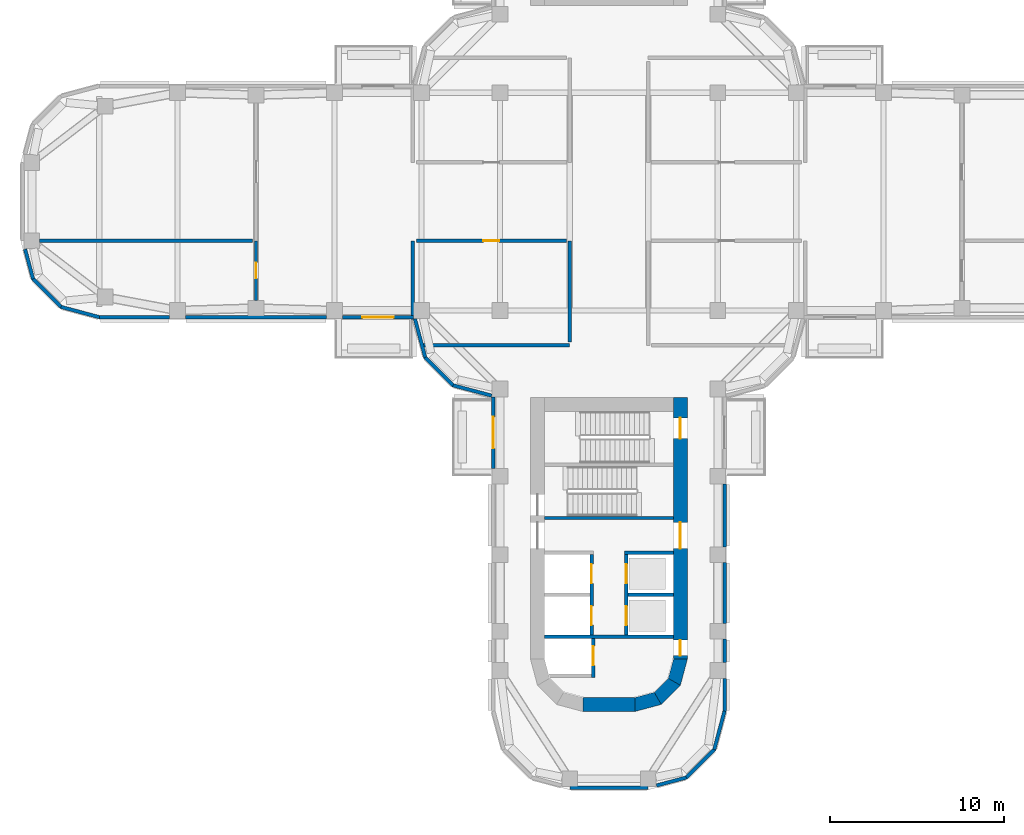
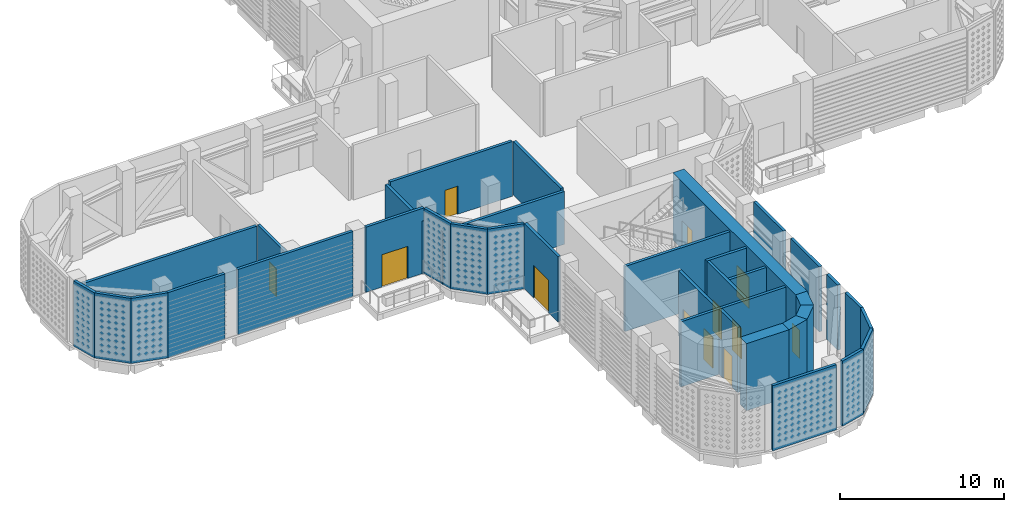
# One storey, part 5 of 20: 36 walls, 12 doors, 12 openings.
"""IFC4 building model written with IfcOpenShell, lengths in metres."""

from ifc_helpers import new_model, si_unit, direction, frame, frame_2d, origin, place, context, subcontext, project, spatial, polyline, rectangle, outline, extrude, material, layer, layer_set, type_object, element, fill, save


model = new_model("IFC4")

# Units and contexts
model_context = context("Model", 3, precision=1e-05, world=origin(), true_north=direction((0.0, 1.0)))
body_context = subcontext(model_context, "Body", "Model", "MODEL_VIEW")
ifc_project = project(units=[si_unit("LENGTHUNIT", "METRE"), si_unit("AREAUNIT", "SQUARE_METRE"), si_unit("VOLUMEUNIT", "CUBIC_METRE"), si_unit("PLANEANGLEUNIT", "RADIAN"), si_unit("MASSUNIT", "GRAM", prefix="KILO")], contexts=[model_context])

# Site, building, storey
site_placement = place(None, origin())
site = spatial("IfcSite", under=ifc_project, at=site_placement, CompositionType="ELEMENT")
building_placement = place(site_placement, origin())
building = spatial("IfcBuilding", under=site, at=building_placement, Name="Zarbagh Exchange Tower", CompositionType="ELEMENT")
storey_placement = place(building_placement, frame((0.0, 0.0, 136.0)))
storey = spatial("IfcBuildingStorey", under=building, at=storey_placement, Name="L32", CompositionType="ELEMENT", Elevation=136.0)

# Walls
ifc_material_1 = material(Name="Concrete block partition", Category="concrete")
ifc_layer_1 = layer(ifc_material_1, 0.199951171875)
ifc_layer_set_1 = layer_set([ifc_layer_1], Name="Fire-rated block partition 200 EI 120")
wall_type_1 = type_object("IfcWallType", Name="Fire-rated block partition 200 EI 120", PredefinedType="PARTITIONING", material=ifc_layer_set_1)
wall_1_placement = place(storey_placement, frame((-20.449951171875, -2.25, 0.0), z_axis=(0.0, 0.0, 1.0), x_axis=(-1.0, 0.0, 0.0)))
element("IfcWall", 1, at=wall_1_placement, inside=storey, type_object=wall_type_1, Name="WL-L32-W023", PredefinedType="PARTITIONING", context=body_context, shape_type="SweptSolid", body=[
    extrude(rectangle(XDim=12.2099609375, YDim=0.199951171875, at=frame_2d((6.10498046875, 0.0))), origin(), (0.0, 0.0, 1.0), 4.080810546875),
])
ifc_layer_2 = layer(ifc_material_1, 0.199951171875)
ifc_layer_set_2 = layer_set([ifc_layer_2], Name="Fire-rated block partition 200 EI 60")
wall_type_2 = type_object("IfcWallType", Name="Fire-rated block partition 200 EI 60", PredefinedType="PARTITIONING", material=ifc_layer_set_2)
wall_2_placement = place(storey_placement, frame((-10.84814453125, -8.25, 0.0), z_axis=(0.0, 0.0, 1.0), x_axis=(1.0, 0.0, 0.0)))
element("IfcWall", 2, at=wall_2_placement, inside=storey, type_object=wall_type_2, Name="WL-L32-W007", PredefinedType="PARTITIONING", context=body_context, shape_type="SweptSolid", body=[
    extrude(rectangle(XDim=8.59814453125, YDim=0.199951171875, at=frame_2d((4.299072265625, 0.0))), origin(), (0.0, 0.0, 1.0), 3.929931640625),
])
wall_3_placement = place(storey_placement, frame((-2.25, -8.050048828125, 0.0), z_axis=(0.0, 0.0, 1.0), x_axis=(0.0, 1.0, 0.0)))
element("IfcWall", 3, at=wall_3_placement, inside=storey, type_object=wall_type_2, Name="WL-L32-W008", PredefinedType="PARTITIONING", context=body_context, shape_type="SweptSolid", body=[
    extrude(rectangle(XDim=5.800048828125, YDim=0.199951171875, at=frame_2d((2.89990234375, 0.0))), origin(), (0.0, 0.0, 1.0), 3.994384765625),
])
wall_4_placement = place(storey_placement, frame((-11.25, -6.75, 0.0), z_axis=(0.0, 0.0, 1.0), x_axis=(0.0, 1.0, 0.0)))
element("IfcWall", 4, at=wall_4_placement, inside=storey, type_object=wall_type_2, Name="WL-L32-W015", PredefinedType="PARTITIONING", context=body_context, shape_type="SweptSolid", body=[
    extrude(rectangle(XDim=4.5, YDim=0.199951171875, at=frame_2d((2.25, 0.0))), origin(), (0.0, 0.0, 1.0), 3.929931640625),
])

# Wall, opening, door
wall_5_placement = place(storey_placement, frame((-2.449951171875, -2.25, 0.0), z_axis=(0.0, 0.0, 1.0), x_axis=(-1.0, 0.0, 0.0)))
wall_5 = element("IfcWall", 5, at=wall_5_placement, inside=storey, type_object=wall_type_2, Name="WL-L32-W016", PredefinedType="PARTITIONING", context=body_context, shape_type="SweptSolid", body=[
    extrude(rectangle(XDim=8.60009765625, YDim=0.199951171875, at=frame_2d((4.300048828125, 0.0))), origin(), (0.0, 0.0, 1.0), 4.080810546875),
])
opening_1_placement = place(wall_5_placement, frame((3.85009765625, 0.0, 0.0)))
opening_1 = element("IfcOpeningElement", 6, at=opening_1_placement, cuts=wall_5, Name="Opening D04", PredefinedType="OPENING", context=body_context, shape_type="SweptSolid", body=[
    extrude(rectangle(XDim=0.89990234375, YDim=2.10009765625, at=frame_2d((0.449951171875, 1.050048828125))), frame((0.0, 0.10986328125, 0.0), z_axis=(0.0, -1.0, 0.0), x_axis=(1.0, 0.0, 0.0)), (0.0, 0.0, 1.0), 0.219970703125),
])
ifc_material_2 = material(Name="Steel door set", Category="steel")
door_type_1 = type_object("IfcDoorType", Name="Door single 900x2100 EI 60", OperationType="SINGLE_SWING_LEFT", PredefinedType="DOOR", material=ifc_material_2)
door_1_placement = place(opening_1_placement, origin())
door_1 = element("IfcDoor", 7, at=door_1_placement, inside=storey, type_object=door_type_1, Name="D04", OperationType="SINGLE_SWING_LEFT", OverallHeight=2.10009765625, OverallWidth=0.89990234375, PredefinedType="DOOR", context=body_context, shape_type="SweptSolid", body=[
    extrude(rectangle(XDim=0.89990234375, YDim=2.10009765625, at=frame_2d((0.449951171875, 1.050048828125))), frame((0.0, 0.02490234375, 0.0), z_axis=(0.0, -1.0, 0.0), x_axis=(1.0, 0.0, 0.0)), (0.0, 0.0, 1.0), 0.050048828125),
])
fill(opening_1, door_1)

wall_6_placement = place(storey_placement, frame((-20.25, -5.659912109375, 0.0), z_axis=(0.0, 0.0, 1.0), x_axis=(0.0, 1.0, 0.0)))
wall_6 = element("IfcWall", 8, at=wall_6_placement, inside=storey, type_object=wall_type_2, Name="WL-L32-W022", PredefinedType="PARTITIONING", context=body_context, shape_type="SweptSolid", body=[
    extrude(rectangle(XDim=3.409912109375, YDim=0.199951171875, at=frame_2d((1.705078125, 0.0))), origin(), (0.0, 0.0, 1.0), 4.080810546875),
])
opening_2_placement = place(wall_6_placement, frame((1.2548828125, 0.0, 0.0)))
opening_2 = element("IfcOpeningElement", 9, at=opening_2_placement, cuts=wall_6, Name="Opening D08", PredefinedType="OPENING", context=body_context, shape_type="SweptSolid", body=[
    extrude(rectangle(XDim=0.89990234375, YDim=2.10009765625, at=frame_2d((0.449951171875, 1.050048828125))), frame((0.0, 0.10986328125, 0.0), z_axis=(0.0, -1.0, 0.0), x_axis=(1.0, 0.0, 0.0)), (0.0, 0.0, 1.0), 0.219970703125),
])
door_2_placement = place(opening_2_placement, origin())
door_2 = element("IfcDoor", 10, at=door_2_placement, inside=storey, type_object=door_type_1, Name="D08", OperationType="SINGLE_SWING_LEFT", OverallHeight=2.10009765625, OverallWidth=0.89990234375, PredefinedType="DOOR", context=body_context, shape_type="SweptSolid", body=[
    extrude(rectangle(XDim=0.89990234375, YDim=2.10009765625, at=frame_2d((0.449951171875, 1.050048828125))), frame((0.0, 0.02490234375, 0.0), z_axis=(0.0, -1.0, 0.0), x_axis=(1.0, 0.0, 0.0)), (0.0, 0.0, 1.0), 0.050048828125),
])
fill(opening_2, door_2)

# Walls
ifc_material_3 = material(Name="Precast concrete C50/60", Category="concrete")
ifc_layer_3 = layer(ifc_material_3, 0.199951171875)
ifc_layer_set_3 = layer_set([ifc_layer_3], Name="Plant wall, precast concrete C50/60")
wall_type_3 = type_object("IfcWallType", Name="Plant wall, precast concrete C50/60", PredefinedType="SOLIDWALL", material=ifc_layer_set_3)
wall_7_placement = place(storey_placement, origin())
element("IfcWall", 11, at=wall_7_placement, inside=storey, type_object=wall_type_3, Name="PW01 plant wall", PredefinedType="SOLIDWALL", context=body_context, shape_type="SweptSolid", body=[
    extrude(outline(polyline([(2.752197265625, -33.5947265625), (4.48974609375, -33.129150390625), (4.38623046875, -32.949951171875), (2.700439453125, -33.401611328125), (2.752197265625, -33.5947265625)])), origin(), (0.0, 0.0, 1.0), 4.85009765625),
])
wall_8_placement = place(storey_placement, origin())
element("IfcWall", 12, at=wall_8_placement, inside=storey, type_object=wall_type_3, Name="PW02 plant wall", PredefinedType="SOLIDWALL", context=body_context, shape_type="SweptSolid", body=[
    extrude(outline(polyline([(4.48974609375, -33.129150390625), (6.129150390625, -31.48974609375), (5.949951171875, -31.38623046875), (4.38623046875, -32.949951171875), (4.48974609375, -33.129150390625)])), origin(), (0.0, 0.0, 1.0), 4.85009765625),
])
wall_9_placement = place(storey_placement, origin())
element("IfcWall", 13, at=wall_9_placement, inside=storey, type_object=wall_type_3, Name="PW03 plant wall", PredefinedType="SOLIDWALL", context=body_context, shape_type="SweptSolid", body=[
    extrude(outline(polyline([(6.129150390625, -31.48974609375), (6.72998046875, -29.247314453125), (6.530029296875, -29.220947265625), (5.949951171875, -31.38623046875), (6.129150390625, -31.48974609375)])), origin(), (0.0, 0.0, 1.0), 4.85009765625),
])
wall_10_placement = place(storey_placement, origin())
element("IfcWall", 14, at=wall_10_placement, inside=storey, type_object=wall_type_3, Name="PW04 plant wall", PredefinedType="SOLIDWALL", context=body_context, shape_type="SweptSolid", body=[
    extrude(outline(polyline([(6.72998046875, -29.247314453125), (6.72998046875, -27.35009765625), (6.530029296875, -27.35009765625), (6.530029296875, -29.220947265625), (6.72998046875, -29.247314453125)])), origin(), (0.0, 0.0, 1.0), 4.85009765625),
])
wall_11_placement = place(storey_placement, origin())
element("IfcWall", 15, at=wall_11_placement, inside=storey, type_object=wall_type_3, Name="PW04 plant wall", PredefinedType="SOLIDWALL", context=body_context, shape_type="SweptSolid", body=[
    extrude(outline(polyline([(6.72998046875, -26.449951171875), (6.72998046875, -25.10009765625), (6.530029296875, -25.10009765625), (6.530029296875, -26.449951171875), (6.72998046875, -26.449951171875)])), origin(), (0.0, 0.0, 1.0), 4.85009765625),
])
wall_12_placement = place(storey_placement, origin())
element("IfcWall", 16, at=wall_12_placement, inside=storey, type_object=wall_type_3, Name="PW04 plant wall", PredefinedType="SOLIDWALL", context=body_context, shape_type="SweptSolid", body=[
    extrude(outline(polyline([(6.72998046875, -24.199951171875), (6.72998046875, -20.699951171875), (6.530029296875, -20.699951171875), (6.530029296875, -24.199951171875), (6.72998046875, -24.199951171875)])), origin(), (0.0, 0.0, 1.0), 4.85009765625),
])
wall_13_placement = place(storey_placement, origin())
element("IfcWall", 17, at=wall_13_placement, inside=storey, type_object=wall_type_3, Name="PW04 plant wall", PredefinedType="SOLIDWALL", context=body_context, shape_type="SweptSolid", body=[
    extrude(outline(polyline([(6.72998046875, -19.800048828125), (6.72998046875, -16.199951171875), (6.530029296875, -16.199951171875), (6.530029296875, -19.800048828125), (6.72998046875, -19.800048828125)])), origin(), (0.0, 0.0, 1.0), 4.85009765625),
])
wall_14_placement = place(storey_placement, origin())
element("IfcWall", 18, at=wall_14_placement, inside=storey, type_object=wall_type_3, Name="PW37 plant wall", PredefinedType="SOLIDWALL", context=body_context, shape_type="SweptSolid", body=[
    extrude(outline(polyline([(-33.5947265625, -2.752197265625), (-33.129150390625, -4.48974609375), (-32.949951171875, -4.38623046875), (-33.401611328125, -2.700439453125), (-33.5947265625, -2.752197265625)])), origin(), (0.0, 0.0, 1.0), 4.85009765625),
])
wall_15_placement = place(storey_placement, origin())
element("IfcWall", 19, at=wall_15_placement, inside=storey, type_object=wall_type_3, Name="PW38 plant wall", PredefinedType="SOLIDWALL", context=body_context, shape_type="SweptSolid", body=[
    extrude(outline(polyline([(-33.129150390625, -4.48974609375), (-31.48974609375, -6.129150390625), (-31.38623046875, -5.949951171875), (-32.949951171875, -4.38623046875), (-33.129150390625, -4.48974609375)])), origin(), (0.0, 0.0, 1.0), 4.85009765625),
])
wall_16_placement = place(storey_placement, origin())
element("IfcWall", 20, at=wall_16_placement, inside=storey, type_object=wall_type_3, Name="PW39 plant wall", PredefinedType="SOLIDWALL", context=body_context, shape_type="SweptSolid", body=[
    extrude(outline(polyline([(-31.48974609375, -6.129150390625), (-29.247314453125, -6.72998046875), (-29.220947265625, -6.530029296875), (-31.38623046875, -5.949951171875), (-31.48974609375, -6.129150390625)])), origin(), (0.0, 0.0, 1.0), 4.85009765625),
])
wall_17_placement = place(storey_placement, origin())
element("IfcWall", 21, at=wall_17_placement, inside=storey, type_object=wall_type_3, Name="PW40 plant wall", PredefinedType="SOLIDWALL", context=body_context, shape_type="SweptSolid", body=[
    extrude(outline(polyline([(-29.247314453125, -6.72998046875), (-25.199951171875, -6.72998046875), (-25.199951171875, -6.530029296875), (-29.220947265625, -6.530029296875), (-29.247314453125, -6.72998046875)])), origin(), (0.0, 0.0, 1.0), 4.85009765625),
])
wall_18_placement = place(storey_placement, origin())
element("IfcWall", 22, at=wall_18_placement, inside=storey, type_object=wall_type_3, Name="PW40 plant wall", PredefinedType="SOLIDWALL", context=body_context, shape_type="SweptSolid", body=[
    extrude(outline(polyline([(-24.300048828125, -6.72998046875), (-16.199951171875, -6.72998046875), (-16.199951171875, -6.530029296875), (-24.300048828125, -6.530029296875), (-24.300048828125, -6.72998046875)])), origin(), (0.0, 0.0, 1.0), 4.85009765625),
])
wall_19_placement = place(storey_placement, origin())
element("IfcWall", 23, at=wall_19_placement, inside=storey, type_object=wall_type_3, Name="PW41 plant wall", PredefinedType="SOLIDWALL", context=body_context, shape_type="SweptSolid", body=[
    extrude(outline(polyline([(-11.228759765625, -6.75244140625), (-10.629150390625, -8.98974609375), (-10.449951171875, -8.88623046875), (-11.035400390625, -6.70068359375), (-11.228759765625, -6.75244140625)])), origin(), (0.0, 0.0, 1.0), 4.85009765625),
])
wall_20_placement = place(storey_placement, origin())
element("IfcWall", 24, at=wall_20_placement, inside=storey, type_object=wall_type_3, Name="PW42 plant wall", PredefinedType="SOLIDWALL", context=body_context, shape_type="SweptSolid", body=[
    extrude(outline(polyline([(-10.629150390625, -8.98974609375), (-8.98974609375, -10.629150390625), (-8.88623046875, -10.449951171875), (-10.449951171875, -8.88623046875), (-10.629150390625, -8.98974609375)])), origin(), (0.0, 0.0, 1.0), 4.85009765625),
])
wall_21_placement = place(storey_placement, origin())
element("IfcWall", 25, at=wall_21_placement, inside=storey, type_object=wall_type_3, Name="PW43 plant wall", PredefinedType="SOLIDWALL", context=body_context, shape_type="SweptSolid", body=[
    extrude(outline(polyline([(-8.98974609375, -10.629150390625), (-6.75244140625, -11.228759765625), (-6.70068359375, -11.035400390625), (-8.88623046875, -10.449951171875), (-8.98974609375, -10.629150390625)])), origin(), (0.0, 0.0, 1.0), 4.85009765625),
])
wall_22_placement = place(storey_placement, origin())
element("IfcWall", 26, at=wall_22_placement, inside=storey, type_object=wall_type_3, Name="PW48 plant wall", PredefinedType="SOLIDWALL", context=body_context, shape_type="SweptSolid", body=[
    extrude(outline(polyline([(-2.247314453125, -33.72998046875), (2.247314453125, -33.72998046875), (2.220947265625, -33.530029296875), (-2.220947265625, -33.530029296875), (-2.247314453125, -33.72998046875)])), origin(), (0.0, 0.0, 1.0), 4.85009765625),
])
ifc_material_4 = material(Name="Concrete C60/75", Category="concrete")
ifc_layer_4 = layer(ifc_material_4, 0.800048828125)
ifc_layer_set_4 = layer_set([ifc_layer_4], Name="RC core corner wall 800 C60/75")
wall_type_4 = type_object("IfcWallType", Name="RC core corner wall 800 C60/75", PredefinedType="SHEAR", material=ifc_layer_set_4)
wall_23_placement = place(storey_placement, origin())
element("IfcWall", 27, at=wall_23_placement, inside=storey, type_object=wall_type_4, Name="CW4 core S corner E", PredefinedType="SHEAR", context=body_context, shape_type="SweptSolid", body=[
    extrude(outline(polyline([(4.5, -26.25), (4.09814453125, -27.75), (3.4052734375, -27.35009765625), (3.699951171875, -26.25), (4.5, -26.25)])), origin(), (0.0, 0.0, 1.0), 5.0),
])
wall_24_placement = place(storey_placement, origin())
element("IfcWall", 28, at=wall_24_placement, inside=storey, type_object=wall_type_4, Name="CW4 core S corner E", PredefinedType="SHEAR", context=body_context, shape_type="SweptSolid", body=[
    extrude(outline(polyline([(4.09814453125, -27.75), (3.0, -28.84814453125), (2.60009765625, -28.1552734375), (3.4052734375, -27.35009765625), (4.09814453125, -27.75)])), origin(), (0.0, 0.0, 1.0), 5.0),
])
wall_25_placement = place(storey_placement, origin())
element("IfcWall", 29, at=wall_25_placement, inside=storey, type_object=wall_type_4, Name="CW4 core S corner E", PredefinedType="SHEAR", context=body_context, shape_type="SweptSolid", body=[
    extrude(outline(polyline([(3.0, -28.84814453125), (1.5, -29.25), (1.5, -28.449951171875), (2.60009765625, -28.1552734375), (3.0, -28.84814453125)])), origin(), (0.0, 0.0, 1.0), 5.0),
])

# Wall, openings, doors
ifc_layer_5 = layer(ifc_material_4, 0.800048828125)
ifc_layer_set_5 = layer_set([ifc_layer_5], Name="RC core wall 800 C60/75")
wall_type_5 = type_object("IfcWallType", Name="RC core wall 800 C60/75", PredefinedType="SHEAR", material=ifc_layer_set_5)
wall_26_placement = place(storey_placement, frame((4.10009765625, -11.25, 0.0), z_axis=(0.0, 0.0, 1.0), x_axis=(0.0, -1.0, 0.0)))
wall_26 = element("IfcWall", 30, at=wall_26_placement, inside=storey, type_object=wall_type_5, Name="CW3 core S E", PredefinedType="SHEAR", context=body_context, shape_type="SweptSolid", body=[
    extrude(rectangle(XDim=15.0, YDim=0.800048828125, at=frame_2d((7.5, 0.0))), origin(), (0.0, 0.0, 1.0), 5.0),
])
opening_3_placement = place(wall_26_placement, frame((7.14990234375, 0.0, 0.0)))
opening_3 = element("IfcOpeningElement", 31, at=opening_3_placement, cuts=wall_26, Name="Opening CD1-1500", PredefinedType="OPENING", context=body_context, shape_type="SweptSolid", body=[
    extrude(rectangle(XDim=1.5, YDim=2.300048828125, at=frame_2d((0.75, 1.14990234375))), frame((0.0, 0.409912109375, 0.0), z_axis=(0.0, -1.0, 0.0), x_axis=(1.0, 0.0, 0.0)), (0.0, 0.0, 1.0), 0.820068359375),
])
opening_4_placement = place(wall_26_placement, frame((13.89990234375, 0.0, 0.0)))
opening_4 = element("IfcOpeningElement", 32, at=opening_4_placement, cuts=wall_26, Name="Opening CD2-900", PredefinedType="OPENING", context=body_context, shape_type="SweptSolid", body=[
    extrude(rectangle(XDim=0.89990234375, YDim=2.10009765625, at=frame_2d((0.449951171875, 1.050048828125))), frame((0.0, 0.409912109375, 0.0), z_axis=(0.0, -1.0, 0.0), x_axis=(1.0, 0.0, 0.0)), (0.0, 0.0, 1.0), 0.820068359375),
])
opening_5_placement = place(wall_26_placement, frame((1.14990234375, 0.0, 0.0)))
opening_5 = element("IfcOpeningElement", 33, at=opening_5_placement, cuts=wall_26, Name="Opening SD1-1200", PredefinedType="OPENING", context=body_context, shape_type="SweptSolid", body=[
    extrude(rectangle(XDim=1.199951171875, YDim=2.10009765625, at=frame_2d((0.60009765625, 1.050048828125))), frame((0.0, 0.409912109375, 0.0), z_axis=(0.0, -1.0, 0.0), x_axis=(1.0, 0.0, 0.0)), (0.0, 0.0, 1.0), 0.820068359375),
])
ifc_material_5 = material(Name="Steel", Category="steel")
door_type_2 = type_object("IfcDoorType", Name="Exit stair door 1200 x 2100", OperationType="NOTDEFINED", PredefinedType="DOOR", material=ifc_material_5)
door_3_placement = place(opening_5_placement, origin())
door_3 = element("IfcDoor", 34, at=door_3_placement, inside=storey, type_object=door_type_2, Name="South core stair door ST2", OperationType="SINGLE_SWING_RIGHT", OverallHeight=2.10009765625, OverallWidth=1.199951171875, PredefinedType="DOOR", context=body_context, shape_type="SweptSolid", body=[
    extrude(rectangle(XDim=1.199951171875, YDim=2.10009765625, at=frame_2d((0.60009765625, 1.050048828125))), frame((0.0, 0.02490234375, 0.0), z_axis=(0.0, -1.0, 0.0), x_axis=(1.0, 0.0, 0.0)), (0.0, 0.0, 1.0), 0.050048828125),
])
fill(opening_5, door_3)
door_type_3 = type_object("IfcDoorType", Name="Firefighting lobby door 900 x 2100", OperationType="NOTDEFINED", PredefinedType="DOOR", material=ifc_material_5)
door_4_placement = place(opening_4_placement, origin())
door_4 = element("IfcDoor", 35, at=door_4_placement, inside=storey, type_object=door_type_3, Name="South core firefighting lobby door FF-W", OperationType="SINGLE_SWING_LEFT", OverallHeight=2.10009765625, OverallWidth=0.89990234375, PredefinedType="DOOR", context=body_context, shape_type="SweptSolid", body=[
    extrude(rectangle(XDim=0.89990234375, YDim=2.10009765625, at=frame_2d((0.449951171875, 1.050048828125))), frame((0.0, 0.02490234375, 0.0), z_axis=(0.0, -1.0, 0.0), x_axis=(1.0, 0.0, 0.0)), (0.0, 0.0, 1.0), 0.050048828125),
])
fill(opening_4, door_4)
door_type_4 = type_object("IfcDoorType", Name="Lift lobby double door 1500 x 2300", OperationType="NOTDEFINED", PredefinedType="DOOR", material=ifc_material_5)
door_5_placement = place(opening_3_placement, origin())
door_5 = element("IfcDoor", 36, at=door_5_placement, inside=storey, type_object=door_type_4, Name="South core lift lobby door LOBBY-W", OperationType="DOUBLE_DOOR_SINGLE_SWING", OverallHeight=2.300048828125, OverallWidth=1.5, PredefinedType="DOOR", context=body_context, shape_type="SweptSolid", body=[
    extrude(rectangle(XDim=1.5, YDim=2.300048828125, at=frame_2d((0.75, 1.14990234375))), frame((0.0, 0.02490234375, 0.0), z_axis=(0.0, -1.0, 0.0), x_axis=(1.0, 0.0, 0.0)), (0.0, 0.0, 1.0), 0.050048828125),
])
fill(opening_3, door_5)

# Walls
wall_27_placement = place(storey_placement, frame((-1.5, -28.85009765625, 0.0), z_axis=(0.0, 0.0, 1.0), x_axis=(1.0, 0.0, 0.0)))
element("IfcWall", 37, at=wall_27_placement, inside=storey, type_object=wall_type_5, Name="CW3 core S outer end", PredefinedType="SHEAR", context=body_context, shape_type="SweptSolid", body=[
    extrude(rectangle(XDim=3.0, YDim=0.800048828125, at=frame_2d((1.5, 0.0))), origin(), (0.0, 0.0, 1.0), 5.0),
])
ifc_material_6 = material(Name="Dense blockwork", Category="masonry")
ifc_layer_6 = layer(ifc_material_6, 0.199951171875)
ifc_layer_set_6 = layer_set([ifc_layer_6], Name="Shaft wall 200 mm blockwork")
wall_type_6 = type_object("IfcWallType", Name="Shaft wall 200 mm blockwork", PredefinedType="PARTITIONING", material=ifc_layer_set_6)
wall_28_placement = place(storey_placement, frame((3.699951171875, -20.14990234375, 0.0), z_axis=(0.0, 0.0, 1.0), x_axis=(-1.0, 0.0, 0.0)))
element("IfcWall", 38, at=wall_28_placement, inside=storey, type_object=wall_type_6, Name="South core shaft wall AB-W", PredefinedType="PARTITIONING", context=body_context, shape_type="SweptSolid", body=[
    extrude(rectangle(XDim=2.800048828125, YDim=0.199951171875, at=frame_2d((1.39990234375, 0.0))), origin(), (0.0, 0.0, 1.0), 4.85009765625),
])

# Wall, openings, doors
wall_29_placement = place(storey_placement, frame((1.0, -24.85009765625, 0.0), z_axis=(0.0, 0.0, 1.0), x_axis=(0.0, 1.0, 0.0)))
wall_29 = element("IfcWall", 39, at=wall_29_placement, inside=storey, type_object=wall_type_6, Name="South core shaft wall LW-W", PredefinedType="PARTITIONING", context=body_context, shape_type="SweptSolid", body=[
    extrude(rectangle(XDim=4.60009765625, YDim=0.199951171875, at=frame_2d((2.300048828125, 0.0))), origin(), (0.0, 0.0, 1.0), 4.85009765625),
])
opening_6_placement = place(wall_29_placement, frame((0.550048828125, 0.0, 0.0)))
opening_6 = element("IfcOpeningElement", 40, at=opening_6_placement, cuts=wall_29, Name="Opening LD-1100", PredefinedType="OPENING", context=body_context, shape_type="SweptSolid", body=[
    extrude(rectangle(XDim=1.10009765625, YDim=2.300048828125, at=frame_2d((0.550048828125, 1.14990234375))), frame((0.0, 0.10986328125, 0.0), z_axis=(0.0, -1.0, 0.0), x_axis=(1.0, 0.0, 0.0)), (0.0, 0.0, 1.0), 0.219970703125),
])
opening_7_placement = place(wall_29_placement, frame((2.949951171875, 0.0, 0.0)))
opening_7 = element("IfcOpeningElement", 41, at=opening_7_placement, cuts=wall_29, Name="Opening LD-1100", PredefinedType="OPENING", context=body_context, shape_type="SweptSolid", body=[
    extrude(rectangle(XDim=1.10009765625, YDim=2.300048828125, at=frame_2d((0.550048828125, 1.14990234375))), frame((0.0, 0.10986328125, 0.0), z_axis=(0.0, -1.0, 0.0), x_axis=(1.0, 0.0, 0.0)), (0.0, 0.0, 1.0), 0.219970703125),
])
ifc_material_7 = material(Name="Stainless steel", Category="steel")
door_type_5 = type_object("IfcDoorType", Name="Lift landing door 1100 x 2300", OperationType="NOTDEFINED", PredefinedType="DOOR", material=ifc_material_7)
door_6_placement = place(opening_6_placement, origin())
door_6 = element("IfcDoor", 42, at=door_6_placement, inside=storey, type_object=door_type_5, Name="South core lift landing door LD-P-S1", OperationType="DOUBLE_DOOR_SLIDING", OverallHeight=2.300048828125, OverallWidth=1.10009765625, PredefinedType="DOOR", context=body_context, shape_type="SweptSolid", body=[
    extrude(rectangle(XDim=1.10009765625, YDim=2.300048828125, at=frame_2d((0.550048828125, 1.14990234375))), frame((0.0, 0.02490234375, 0.0), z_axis=(0.0, -1.0, 0.0), x_axis=(1.0, 0.0, 0.0)), (0.0, 0.0, 1.0), 0.050048828125),
])
fill(opening_6, door_6)
door_7_placement = place(opening_7_placement, origin())
door_7 = element("IfcDoor", 43, at=door_7_placement, inside=storey, type_object=door_type_5, Name="South core lift landing door LD-P-S2", OperationType="DOUBLE_DOOR_SLIDING", OverallHeight=2.300048828125, OverallWidth=1.10009765625, PredefinedType="DOOR", context=body_context, shape_type="SweptSolid", body=[
    extrude(rectangle(XDim=1.10009765625, YDim=2.300048828125, at=frame_2d((0.550048828125, 1.14990234375))), frame((0.0, 0.02490234375, 0.0), z_axis=(0.0, -1.0, 0.0), x_axis=(1.0, 0.0, 0.0)), (0.0, 0.0, 1.0), 0.050048828125),
])
fill(opening_7, door_7)

wall_30_placement = place(storey_placement, frame((-1.0, -24.85009765625, 0.0), z_axis=(0.0, 0.0, 1.0), x_axis=(0.0, 1.0, 0.0)))
wall_30 = element("IfcWall", 44, at=wall_30_placement, inside=storey, type_object=wall_type_6, Name="South core shaft wall LW-E", PredefinedType="PARTITIONING", context=body_context, shape_type="SweptSolid", body=[
    extrude(rectangle(XDim=4.60009765625, YDim=0.199951171875, at=frame_2d((2.300048828125, 0.0))), origin(), (0.0, 0.0, 1.0), 4.85009765625),
])
opening_8_placement = place(wall_30_placement, frame((0.550048828125, 0.0, 0.0)))
opening_8 = element("IfcOpeningElement", 45, at=opening_8_placement, cuts=wall_30, Name="Opening LD-1100", PredefinedType="OPENING", context=body_context, shape_type="SweptSolid", body=[
    extrude(rectangle(XDim=1.10009765625, YDim=2.300048828125, at=frame_2d((0.550048828125, 1.14990234375))), frame((0.0, 0.10986328125, 0.0), z_axis=(0.0, -1.0, 0.0), x_axis=(1.0, 0.0, 0.0)), (0.0, 0.0, 1.0), 0.219970703125),
])
opening_9_placement = place(wall_30_placement, frame((2.949951171875, 0.0, 0.0)))
opening_9 = element("IfcOpeningElement", 46, at=opening_9_placement, cuts=wall_30, Name="Opening LD-1100", PredefinedType="OPENING", context=body_context, shape_type="SweptSolid", body=[
    extrude(rectangle(XDim=1.10009765625, YDim=2.300048828125, at=frame_2d((0.550048828125, 1.14990234375))), frame((0.0, 0.10986328125, 0.0), z_axis=(0.0, -1.0, 0.0), x_axis=(1.0, 0.0, 0.0)), (0.0, 0.0, 1.0), 0.219970703125),
])
door_8_placement = place(opening_8_placement, origin())
door_8 = element("IfcDoor", 47, at=door_8_placement, inside=storey, type_object=door_type_5, Name="South core lift landing door LD-SH-S1", OperationType="DOUBLE_DOOR_SLIDING", OverallHeight=2.300048828125, OverallWidth=1.10009765625, PredefinedType="DOOR", context=body_context, shape_type="SweptSolid", body=[
    extrude(rectangle(XDim=1.10009765625, YDim=2.300048828125, at=frame_2d((0.550048828125, 1.14990234375))), frame((0.0, 0.02490234375, 0.0), z_axis=(0.0, -1.0, 0.0), x_axis=(1.0, 0.0, 0.0)), (0.0, 0.0, 1.0), 0.050048828125),
])
fill(opening_8, door_8)
door_9_placement = place(opening_9_placement, origin())
door_9 = element("IfcDoor", 48, at=door_9_placement, inside=storey, type_object=door_type_5, Name="South core lift landing door LD-SH-S2", OperationType="DOUBLE_DOOR_SLIDING", OverallHeight=2.300048828125, OverallWidth=1.10009765625, PredefinedType="DOOR", context=body_context, shape_type="SweptSolid", body=[
    extrude(rectangle(XDim=1.10009765625, YDim=2.300048828125, at=frame_2d((0.550048828125, 1.14990234375))), frame((0.0, 0.02490234375, 0.0), z_axis=(0.0, -1.0, 0.0), x_axis=(1.0, 0.0, 0.0)), (0.0, 0.0, 1.0), 0.050048828125),
])
fill(opening_9, door_9)

# Walls
wall_31_placement = place(storey_placement, frame((3.699951171875, -22.550048828125, 0.0), z_axis=(0.0, 0.0, 1.0), x_axis=(-1.0, 0.0, 0.0)))
element("IfcWall", 49, at=wall_31_placement, inside=storey, type_object=wall_type_6, Name="South core shaft wall TR-W", PredefinedType="PARTITIONING", context=body_context, shape_type="SweptSolid", body=[
    extrude(rectangle(XDim=2.599853515625, YDim=0.199951171875, at=frame_2d((1.2998046875, 0.0))), origin(), (0.0, 0.0, 1.0), 4.85009765625),
])
ifc_material_8 = material(Name="Concrete C40/50", Category="concrete")
ifc_layer_7 = layer(ifc_material_8, 0.199951171875)
ifc_layer_set_7 = layer_set([ifc_layer_7], Name="Stair enclosure wall 200 mm RC C40/50")
wall_type_7 = type_object("IfcWallType", Name="Stair enclosure wall 200 mm RC C40/50", PredefinedType="SHEAR", material=ifc_layer_set_7)
wall_32_placement = place(storey_placement, frame((3.699951171875, -24.949951171875, 0.0), z_axis=(0.0, 0.0, 1.0), x_axis=(-1.0, 0.0, 0.0)))
element("IfcWall", 50, at=wall_32_placement, inside=storey, type_object=wall_type_7, Name="South core lift shaft wall FFA", PredefinedType="SHEAR", context=body_context, shape_type="SweptSolid", body=[
    extrude(rectangle(XDim=7.39990234375, YDim=0.199951171875, at=frame_2d((3.699951171875, 0.0))), origin(), (0.0, 0.0, 1.0), 4.85009765625),
])

# Wall, opening, door
wall_33_placement = place(storey_placement, frame((-0.89990234375, -27.300048828125, 0.0), z_axis=(0.0, 0.0, 1.0), x_axis=(0.0, 1.0, 0.0)))
wall_33 = element("IfcWall", 51, at=wall_33_placement, inside=storey, type_object=wall_type_7, Name="South core lift shaft wall FFL", PredefinedType="SHEAR", context=body_context, shape_type="SweptSolid", body=[
    extrude(rectangle(XDim=2.25, YDim=0.199951171875, at=frame_2d((1.125, 0.0))), origin(), (0.0, 0.0, 1.0), 4.85009765625),
])
opening_10_placement = place(wall_33_placement, frame((0.699951171875, 0.0, 0.0)))
opening_10 = element("IfcOpeningElement", 52, at=opening_10_placement, cuts=wall_33, Name="Opening LD-1100", PredefinedType="OPENING", context=body_context, shape_type="SweptSolid", body=[
    extrude(rectangle(XDim=1.10009765625, YDim=2.300048828125, at=frame_2d((0.550048828125, 1.14990234375))), frame((0.0, 0.10986328125, 0.0), z_axis=(0.0, -1.0, 0.0), x_axis=(1.0, 0.0, 0.0)), (0.0, 0.0, 1.0), 0.219970703125),
])
door_10_placement = place(opening_10_placement, origin())
door_10 = element("IfcDoor", 53, at=door_10_placement, inside=storey, type_object=door_type_5, Name="South core lift landing door LD-F", OperationType="DOUBLE_DOOR_SLIDING", OverallHeight=2.300048828125, OverallWidth=1.10009765625, PredefinedType="DOOR", context=body_context, shape_type="SweptSolid", body=[
    extrude(rectangle(XDim=1.10009765625, YDim=2.300048828125, at=frame_2d((0.550048828125, 1.14990234375))), frame((0.0, 0.02490234375, 0.0), z_axis=(0.0, -1.0, 0.0), x_axis=(1.0, 0.0, 0.0)), (0.0, 0.0, 1.0), 0.050048828125),
])
fill(opening_10, door_10)

# Wall
wall_34_placement = place(storey_placement, frame((3.699951171875, -18.14990234375, 0.0), z_axis=(0.0, 0.0, 1.0), x_axis=(-1.0, 0.0, 0.0)))
element("IfcWall", 54, at=wall_34_placement, inside=storey, type_object=wall_type_7, Name="South core stair wall BS", PredefinedType="SHEAR", context=body_context, shape_type="SweptSolid", body=[
    extrude(rectangle(XDim=7.39990234375, YDim=0.199951171875, at=frame_2d((3.699951171875, 0.0))), origin(), (0.0, 0.0, 1.0), 4.85009765625),
])

# Wall, opening, door
ifc_layer_8 = layer(ifc_material_3, 0.199951171875)
ifc_layer_set_8 = layer_set([ifc_layer_8], Name="Terrace door wall, precast concrete C50/60")
wall_type_8 = type_object("IfcWallType", Name="Terrace door wall, precast concrete C50/60", PredefinedType="SOLIDWALL", material=ifc_layer_set_8)
wall_35_placement = place(storey_placement, frame((-15.300048828125, -6.6298828125, 0.0), z_axis=(0.0, 0.0, 1.0), x_axis=(1.0, 0.0, 0.0)))
wall_35 = element("IfcWall", 55, at=wall_35_placement, inside=storey, type_object=wall_type_8, Name="TW40 door wall", PredefinedType="SOLIDWALL", context=body_context, shape_type="SweptSolid", body=[
    extrude(rectangle(XDim=4.10009765625, YDim=0.199951171875, at=frame_2d((2.050048828125, 0.0))), origin(), (0.0, 0.0, 1.0), 4.85009765625),
])
opening_11_placement = place(wall_35_placement, frame((1.14990234375, 0.0, 0.0)))
opening_11 = element("IfcOpeningElement", 56, at=opening_11_placement, cuts=wall_35, Name="Opening TD02", PredefinedType="OPENING", context=body_context, shape_type="SweptSolid", body=[
    extrude(rectangle(XDim=1.800048828125, YDim=2.39990234375, at=frame_2d((0.89990234375, 1.199951171875))), frame((0.0, 0.10986328125, 0.0), z_axis=(0.0, -1.0, 0.0), x_axis=(1.0, 0.0, 0.0)), (0.0, 0.0, 1.0), 0.219970703125),
])
ifc_material_9 = material(Name="Anodised aluminium and glass", Category="aluminium")
door_type_6 = type_object("IfcDoorType", Name="Terrace door, double leaf, aluminium and glass", OperationType="DOUBLE_DOOR_DOUBLE_SWING", PredefinedType="DOOR", material=ifc_material_9)
door_11_placement = place(opening_11_placement, origin())
door_11 = element("IfcDoor", 57, at=door_11_placement, inside=storey, type_object=door_type_6, Name="TD02 terrace door", OperationType="SINGLE_SWING_LEFT", OverallHeight=2.39990234375, OverallWidth=1.800048828125, PredefinedType="DOOR", context=body_context, shape_type="SweptSolid", body=[
    extrude(rectangle(XDim=1.800048828125, YDim=2.39990234375, at=frame_2d((0.89990234375, 1.199951171875))), frame((0.0, 0.02490234375, 0.0), z_axis=(0.0, -1.0, 0.0), x_axis=(1.0, 0.0, 0.0)), (0.0, 0.0, 1.0), 0.050048828125),
])
fill(opening_11, door_11)

wall_36_placement = place(storey_placement, frame((-6.6298828125, -11.199951171875, 0.0), z_axis=(0.0, 0.0, 1.0), x_axis=(0.0, -1.0, 0.0)))
wall_36 = element("IfcWall", 58, at=wall_36_placement, inside=storey, type_object=wall_type_8, Name="TW41 door wall", PredefinedType="SOLIDWALL", context=body_context, shape_type="SweptSolid", body=[
    extrude(rectangle(XDim=4.10009765625, YDim=0.199951171875, at=frame_2d((2.050048828125, 0.0))), origin(), (0.0, 0.0, 1.0), 4.85009765625),
])
opening_12_placement = place(wall_36_placement, frame((1.14990234375, 0.0, 0.0)))
opening_12 = element("IfcOpeningElement", 59, at=opening_12_placement, cuts=wall_36, Name="Opening TD02", PredefinedType="OPENING", context=body_context, shape_type="SweptSolid", body=[
    extrude(rectangle(XDim=1.800048828125, YDim=2.39990234375, at=frame_2d((0.89990234375, 1.199951171875))), frame((0.0, 0.10986328125, 0.0), z_axis=(0.0, -1.0, 0.0), x_axis=(1.0, 0.0, 0.0)), (0.0, 0.0, 1.0), 0.219970703125),
])
door_12_placement = place(opening_12_placement, origin())
door_12 = element("IfcDoor", 60, at=door_12_placement, inside=storey, type_object=door_type_6, Name="TD02 terrace door", OperationType="SINGLE_SWING_LEFT", OverallHeight=2.39990234375, OverallWidth=1.800048828125, PredefinedType="DOOR", context=body_context, shape_type="SweptSolid", body=[
    extrude(rectangle(XDim=1.800048828125, YDim=2.39990234375, at=frame_2d((0.89990234375, 1.199951171875))), frame((0.0, 0.02490234375, 0.0), z_axis=(0.0, -1.0, 0.0), x_axis=(1.0, 0.0, 0.0)), (0.0, 0.0, 1.0), 0.050048828125),
])
fill(opening_12, door_12)

save(model, "model.ifc")
